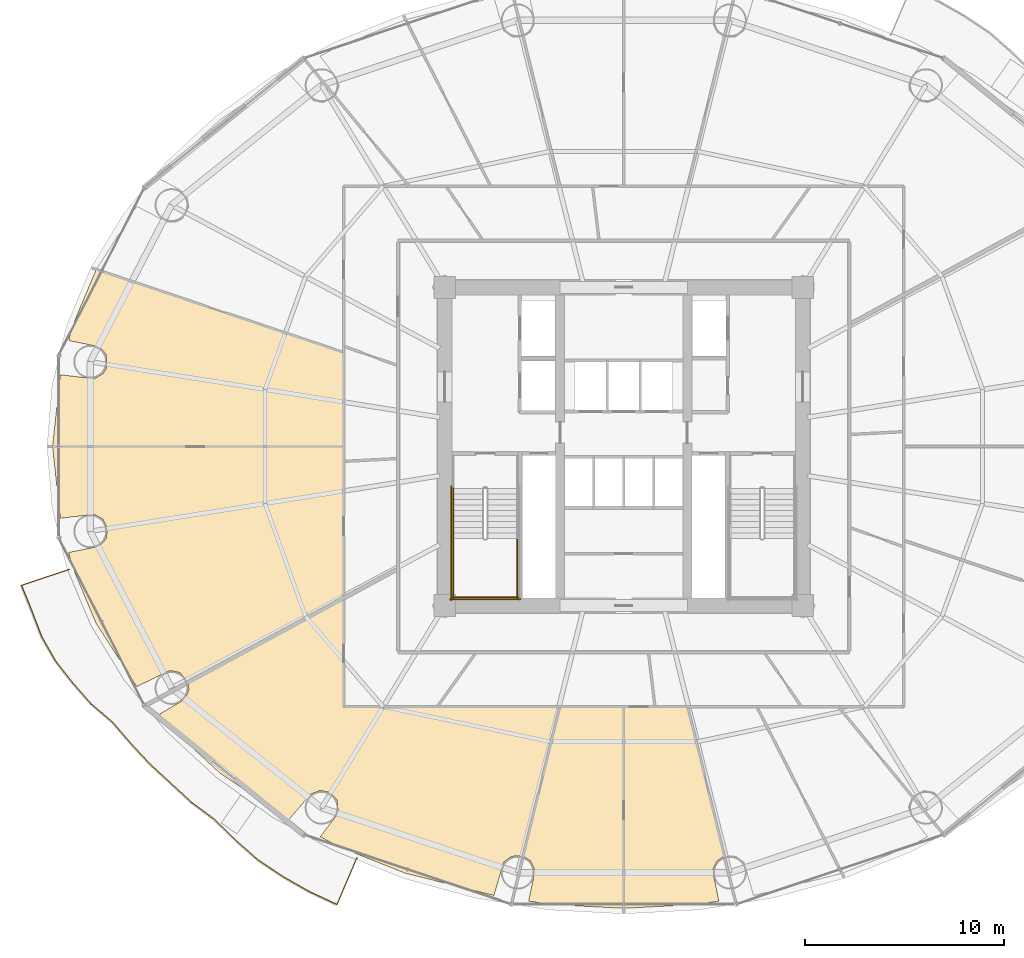
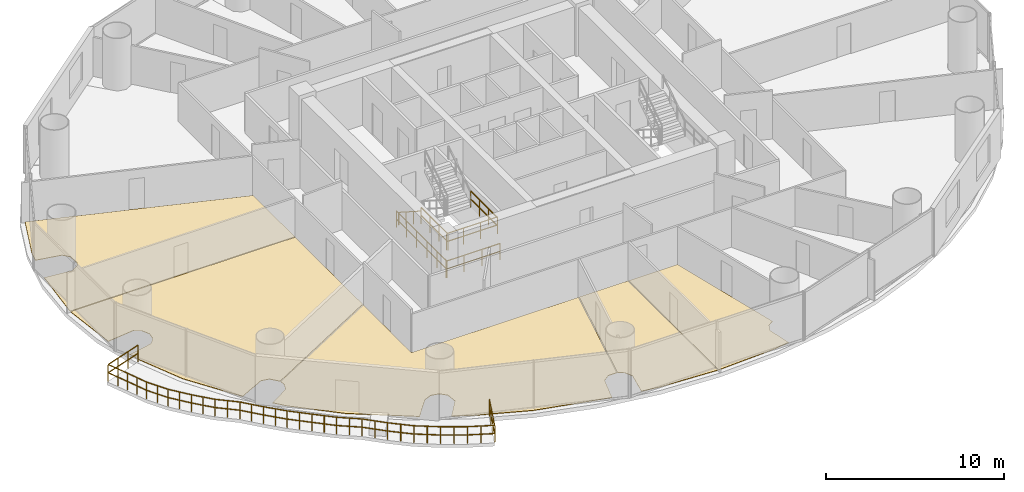
# One storey, part 27 of 30: 7 railings, 5 coverings.
"""IFC4 building model written with IfcOpenShell, lengths in metres."""

from ifc_helpers import new_model, si_unit, direction, frame, origin, origin_2d, place, context, subcontext, project, spatial, polyline, rectangle, outline, extrude, material, layer, layer_set, type_object, element, save


model = new_model("IFC4")

# Units and contexts
model_context = context("Model", 3, precision=1e-05, world=origin(), true_north=direction((-0.2419218956, 0.970295726276)))
body_context = subcontext(model_context, "Body", "Model", "MODEL_VIEW")
ifc_project = project(units=[si_unit("LENGTHUNIT", "METRE"), si_unit("AREAUNIT", "SQUARE_METRE"), si_unit("VOLUMEUNIT", "CUBIC_METRE"), si_unit("PLANEANGLEUNIT", "RADIAN"), si_unit("MASSUNIT", "GRAM", prefix="KILO")], contexts=[model_context])

# Site, building, storey
site_placement = place(None, origin())
site = spatial("IfcSite", under=ifc_project, at=site_placement, CompositionType="ELEMENT")
building_placement = place(site_placement, origin())
building = spatial("IfcBuilding", under=site, at=building_placement, Name="Cobrevalo Terracotta Tower", CompositionType="ELEMENT")
storey_placement = place(building_placement, frame((0.0, 0.0, 63.60009765625)))
storey = spatial("IfcBuildingStorey", under=building, at=storey_placement, Name="L16", CompositionType="ELEMENT", Elevation=63.60009765625)

# Railing
ifc_material_1 = material(Name="Laminated structural glass and stainless steel", Category="steel")
railing_type_1 = type_object("IfcRailingType", Name="Balcony lobe structural glass & terracotta-cap balustrade 1180 mm", PredefinedType="BALUSTRADE", material=ifc_material_1)
railing_1_placement = place(storey_placement, frame((10.121337890625, 20.629638671875, 0.0)))
element("IfcRailing", 1, at=railing_1_placement, inside=storey, type_object=railing_type_1, Name="L16 spiralling balcony lobe balustrade 2", PredefinedType="BALUSTRADE", context=body_context, shape_type="SweptSolid", body=[
    extrude(rectangle(XDim=0.048095703125, YDim=0.048095703125, at=origin_2d()), frame((0.0, 0.0, 1.15576171875), z_axis=(-0.947685623681, -0.319205198373, 0.0), x_axis=(0.319205198373, -0.947685623681, 0.0)), (0.0, 0.0, 1.0), 2.532470703125),
    extrude(rectangle(XDim=0.048095703125, YDim=0.048095703125, at=origin_2d()), frame((0.0, 0.0, 0.58984375), z_axis=(-0.947685623681, -0.319205198373, 0.0), x_axis=(0.319205198373, -0.947685623681, 0.0)), (0.0, 0.0, 1.0), 2.532470703125),
    extrude(rectangle(XDim=0.048095703125, YDim=0.048095703125, at=origin_2d()), frame((-2.39990234375, -0.808349609375, 1.15576171875), z_axis=(0.372696737313, -0.927953200327, 0.0), x_axis=(0.927953200327, 0.372696737313, 0.0)), (0.0, 0.0, 1.0), 1.385498046875),
    extrude(rectangle(XDim=0.048095703125, YDim=0.048095703125, at=origin_2d()), frame((-2.39990234375, -0.808349609375, 0.58984375), z_axis=(0.372696737313, -0.927953200327, 0.0), x_axis=(0.927953200327, 0.372696737313, 0.0)), (0.0, 0.0, 1.0), 1.385498046875),
    extrude(rectangle(XDim=0.048095703125, YDim=0.048095703125, at=origin_2d()), frame((-1.883544921875, -2.093994140625, 1.15576171875), z_axis=(0.357751801544, -0.93381671033, 0.0), x_axis=(0.93381671033, 0.357751801544, 0.0)), (0.0, 0.0, 1.0), 1.38671875),
    extrude(rectangle(XDim=0.048095703125, YDim=0.048095703125, at=origin_2d()), frame((-1.883544921875, -2.093994140625, 0.58984375), z_axis=(0.357751801544, -0.93381671033, 0.0), x_axis=(0.93381671033, 0.357751801544, 0.0)), (0.0, 0.0, 1.0), 1.38671875),
    extrude(rectangle(XDim=0.048095703125, YDim=0.048095703125, at=origin_2d()), frame((-1.387451171875, -3.388916015625, 1.15576171875), z_axis=(0.494574379134, -0.869135307938, 0.0), x_axis=(0.869135307938, 0.494574379134, 0.0)), (0.0, 0.0, 1.0), 1.3955078125),
    extrude(rectangle(XDim=0.048095703125, YDim=0.048095703125, at=origin_2d()), frame((-1.387451171875, -3.388916015625, 0.58984375), z_axis=(0.494574379134, -0.869135307938, 0.0), x_axis=(0.869135307938, 0.494574379134, 0.0)), (0.0, 0.0, 1.0), 1.3955078125),
    extrude(rectangle(XDim=0.048095703125, YDim=0.048095703125, at=origin_2d()), frame((-0.697265625, -4.601806640625, 1.15576171875), z_axis=(0.614359154703, -0.78902650718, 0.0), x_axis=(0.78902650718, 0.614359154703, 0.0)), (0.0, 0.0, 1.0), 1.4130859375),
    extrude(rectangle(XDim=0.048095703125, YDim=0.048095703125, at=origin_2d()), frame((-0.697265625, -4.601806640625, 0.58984375), z_axis=(0.614359154703, -0.78902650718, 0.0), x_axis=(0.78902650718, 0.614359154703, 0.0)), (0.0, 0.0, 1.0), 1.4130859375),
    extrude(rectangle(XDim=0.048095703125, YDim=0.048095703125, at=origin_2d()), frame((0.1708984375, -5.716796875, 1.15576171875), z_axis=(0.659505333479, -0.751699883672, 0.0), x_axis=(0.751699883672, 0.659505333479, 0.0)), (0.0, 0.0, 1.0), 1.398193359375),
    extrude(rectangle(XDim=0.048095703125, YDim=0.048095703125, at=origin_2d()), frame((0.1708984375, -5.716796875, 0.58984375), z_axis=(0.659505333479, -0.751699883672, 0.0), x_axis=(0.751699883672, 0.659505333479, 0.0)), (0.0, 0.0, 1.0), 1.398193359375),
    extrude(rectangle(XDim=0.048095703125, YDim=0.048095703125, at=origin_2d()), frame((1.093017578125, -6.767822265625, 1.15576171875), z_axis=(0.759232612194, -0.650819360945, 0.0), x_axis=(0.650819360945, 0.759232612194, 0.0)), (0.0, 0.0, 1.0), 1.436767578125),
    extrude(rectangle(XDim=0.048095703125, YDim=0.048095703125, at=origin_2d()), frame((1.093017578125, -6.767822265625, 0.58984375), z_axis=(0.759232612194, -0.650819360945, 0.0), x_axis=(0.650819360945, 0.759232612194, 0.0)), (0.0, 0.0, 1.0), 1.436767578125),
    extrude(rectangle(XDim=0.048095703125, YDim=0.048095703125, at=origin_2d()), frame((2.183837890625, -7.702880859375, 1.15576171875), z_axis=(0.651986947416, -0.758230189586, 0.0), x_axis=(0.758230189586, 0.651986947416, 0.0)), (0.0, 0.0, 1.0), 1.394775390625),
    extrude(rectangle(XDim=0.048095703125, YDim=0.048095703125, at=origin_2d()), frame((2.183837890625, -7.702880859375, 0.58984375), z_axis=(0.651986947416, -0.758230189586, 0.0), x_axis=(0.758230189586, 0.651986947416, 0.0)), (0.0, 0.0, 1.0), 1.394775390625),
    extrude(rectangle(XDim=0.048095703125, YDim=0.048095703125, at=origin_2d()), frame((3.09326171875, -8.760498046875, 1.15576171875), z_axis=(0.681816506095, -0.731523240927, 0.0), x_axis=(0.731523240927, 0.681816506095, 0.0)), (0.0, 0.0, 1.0), 1.40478515625),
    extrude(rectangle(XDim=0.048095703125, YDim=0.048095703125, at=origin_2d()), frame((3.09326171875, -8.760498046875, 0.58984375), z_axis=(0.681816506095, -0.731523240927, 0.0), x_axis=(0.731523240927, 0.681816506095, 0.0)), (0.0, 0.0, 1.0), 1.40478515625),
    extrude(rectangle(XDim=0.048095703125, YDim=0.048095703125, at=origin_2d()), frame((4.051025390625, -9.7880859375, 1.15576171875), z_axis=(0.734054626876, -0.679090424584, 0.0), x_axis=(0.679090424584, 0.734054626876, 0.0)), (0.0, 0.0, 1.0), 1.42578125),
    extrude(rectangle(XDim=0.048095703125, YDim=0.048095703125, at=origin_2d()), frame((4.051025390625, -9.7880859375, 0.58984375), z_axis=(0.734054626876, -0.679090424584, 0.0), x_axis=(0.679090424584, 0.734054626876, 0.0)), (0.0, 0.0, 1.0), 1.42578125),
    extrude(rectangle(XDim=0.048095703125, YDim=0.048095703125, at=origin_2d()), frame((5.09765625, -10.75634765625, 1.15576171875), z_axis=(0.736228238624, -0.676733315755, 0.0), x_axis=(0.676733315755, 0.736228238624, 0.0)), (0.0, 0.0, 1.0), 1.423828125),
    extrude(rectangle(XDim=0.048095703125, YDim=0.048095703125, at=origin_2d()), frame((5.09765625, -10.75634765625, 0.58984375), z_axis=(0.736228238624, -0.676733315755, 0.0), x_axis=(0.676733315755, 0.736228238624, 0.0)), (0.0, 0.0, 1.0), 1.423828125),
    extrude(rectangle(XDim=0.048095703125, YDim=0.048095703125, at=origin_2d()), frame((6.14599609375, -11.719970703125, 1.15576171875), z_axis=(0.802051671912, -0.597254648858, 0.0), x_axis=(0.597254648858, 0.802051671912, 0.0)), (0.0, 0.0, 1.0), 1.453125),
    extrude(rectangle(XDim=0.048095703125, YDim=0.048095703125, at=origin_2d()), frame((6.14599609375, -11.719970703125, 0.58984375), z_axis=(0.802051671912, -0.597254648858, 0.0), x_axis=(0.597254648858, 0.802051671912, 0.0)), (0.0, 0.0, 1.0), 1.453125),
    extrude(rectangle(XDim=0.048095703125, YDim=0.048095703125, at=origin_2d()), frame((7.3115234375, -12.587890625, 1.15576171875), z_axis=(0.711537863428, -0.702647755926, 0.0), x_axis=(0.702647755926, 0.711537863428, 0.0)), (0.0, 0.0, 1.0), 1.48291015625),
    extrude(rectangle(XDim=0.048095703125, YDim=0.048095703125, at=origin_2d()), frame((7.3115234375, -12.587890625, 0.58984375), z_axis=(0.711537863428, -0.702647755926, 0.0), x_axis=(0.702647755926, 0.711537863428, 0.0)), (0.0, 0.0, 1.0), 1.48291015625),
    extrude(rectangle(XDim=0.048095703125, YDim=0.048095703125, at=origin_2d()), frame((8.36669921875, -13.6298828125, 1.15576171875), z_axis=(0.751323984624, -0.65993353463, 0.0), x_axis=(0.65993353463, 0.751323984624, 0.0)), (0.0, 0.0, 1.0), 1.49853515625),
    extrude(rectangle(XDim=0.048095703125, YDim=0.048095703125, at=origin_2d()), frame((8.36669921875, -13.6298828125, 0.58984375), z_axis=(0.751323984624, -0.65993353463, 0.0), x_axis=(0.65993353463, 0.751323984624, 0.0)), (0.0, 0.0, 1.0), 1.49853515625),
    extrude(rectangle(XDim=0.048095703125, YDim=0.048095703125, at=origin_2d()), frame((9.49267578125, -14.618896484375, 1.15576171875), z_axis=(0.832124630172, -0.554588676284, 0.0), x_axis=(0.554588676284, 0.832124630172, 0.0)), (0.0, 0.0, 1.0), 1.515625),
    extrude(rectangle(XDim=0.048095703125, YDim=0.048095703125, at=origin_2d()), frame((9.49267578125, -14.618896484375, 0.58984375), z_axis=(0.832124630172, -0.554588676284, 0.0), x_axis=(0.554588676284, 0.832124630172, 0.0)), (0.0, 0.0, 1.0), 1.515625),
    extrude(rectangle(XDim=0.048095703125, YDim=0.048095703125, at=origin_2d()), frame((10.75390625, -15.45947265625, 1.15576171875), z_axis=(0.868956026237, -0.494889305265, 0.0), x_axis=(0.494889305265, 0.868956026237, 0.0)), (0.0, 0.0, 1.0), 1.515380859375),
    extrude(rectangle(XDim=0.048095703125, YDim=0.048095703125, at=origin_2d()), frame((10.75390625, -15.45947265625, 0.58984375), z_axis=(0.868956026237, -0.494889305265, 0.0), x_axis=(0.494889305265, 0.868956026237, 0.0)), (0.0, 0.0, 1.0), 1.515380859375),
    extrude(rectangle(XDim=0.048095703125, YDim=0.048095703125, at=origin_2d()), frame((12.07080078125, -16.20947265625, 1.15576171875), z_axis=(0.906244057486, -0.422754903308, 0.0), x_axis=(0.422754903308, 0.906244057486, 0.0)), (0.0, 0.0, 1.0), 1.53564453125),
    extrude(rectangle(XDim=0.048095703125, YDim=0.048095703125, at=origin_2d()), frame((12.07080078125, -16.20947265625, 0.58984375), z_axis=(0.906244057486, -0.422754903308, 0.0), x_axis=(0.422754903308, 0.906244057486, 0.0)), (0.0, 0.0, 1.0), 1.53564453125),
    extrude(rectangle(XDim=0.048095703125, YDim=0.048095703125, at=origin_2d()), frame((13.46240234375, -16.858642578125, 1.15576171875), z_axis=(0.392274155502, 0.919848349961, 0.0), x_axis=(-0.919848349961, 0.392274155502, 0.0)), (0.0, 0.0, 1.0), 2.544189453125),
    extrude(rectangle(XDim=0.048095703125, YDim=0.048095703125, at=origin_2d()), frame((13.46240234375, -16.858642578125, 0.58984375), z_axis=(0.392274155502, 0.919848349961, 0.0), x_axis=(-0.919848349961, 0.392274155502, 0.0)), (0.0, 0.0, 1.0), 2.544189453125),
    extrude(rectangle(XDim=0.0419921875, YDim=0.0419921875, at=origin_2d()), origin(), (0.0, 0.0, 1.0), 1.1318359375),
    extrude(rectangle(XDim=0.0419921875, YDim=0.0419921875, at=origin_2d()), frame((-0.800048828125, -0.26953125, 0.0)), (0.0, 0.0, 1.0), 1.1318359375),
    extrude(rectangle(XDim=0.0419921875, YDim=0.0419921875, at=origin_2d()), frame((-1.599853515625, -0.538818359375, 0.0)), (0.0, 0.0, 1.0), 1.1318359375),
    extrude(rectangle(XDim=0.0419921875, YDim=0.0419921875, at=origin_2d()), frame((-2.39990234375, -0.808349609375, 0.0)), (0.0, 0.0, 1.0), 1.1318359375),
    extrude(rectangle(XDim=0.0419921875, YDim=0.0419921875, at=origin_2d()), frame((-2.1416015625, -1.451171875, 0.0)), (0.0, 0.0, 1.0), 1.1318359375),
    extrude(rectangle(XDim=0.0419921875, YDim=0.0419921875, at=origin_2d()), frame((-1.883544921875, -2.093994140625, 0.0)), (0.0, 0.0, 1.0), 1.1318359375),
    extrude(rectangle(XDim=0.0419921875, YDim=0.0419921875, at=origin_2d()), frame((-1.635498046875, -2.741455078125, 0.0)), (0.0, 0.0, 1.0), 1.1318359375),
    extrude(rectangle(XDim=0.0419921875, YDim=0.0419921875, at=origin_2d()), frame((-1.387451171875, -3.388916015625, 0.0)), (0.0, 0.0, 1.0), 1.1318359375),
    extrude(rectangle(XDim=0.0419921875, YDim=0.0419921875, at=origin_2d()), frame((-1.04248046875, -3.995361328125, 0.0)), (0.0, 0.0, 1.0), 1.1318359375),
    extrude(rectangle(XDim=0.0419921875, YDim=0.0419921875, at=origin_2d()), frame((-0.697265625, -4.601806640625, 0.0)), (0.0, 0.0, 1.0), 1.1318359375),
    extrude(rectangle(XDim=0.0419921875, YDim=0.0419921875, at=origin_2d()), frame((-0.26318359375, -5.1591796875, 0.0)), (0.0, 0.0, 1.0), 1.1318359375),
    extrude(rectangle(XDim=0.0419921875, YDim=0.0419921875, at=origin_2d()), frame((0.1708984375, -5.716796875, 0.0)), (0.0, 0.0, 1.0), 1.1318359375),
    extrude(rectangle(XDim=0.0419921875, YDim=0.0419921875, at=origin_2d()), frame((0.6318359375, -6.2421875, 0.0)), (0.0, 0.0, 1.0), 1.1318359375),
    extrude(rectangle(XDim=0.0419921875, YDim=0.0419921875, at=origin_2d()), frame((1.093017578125, -6.767822265625, 0.0)), (0.0, 0.0, 1.0), 1.1318359375),
    extrude(rectangle(XDim=0.0419921875, YDim=0.0419921875, at=origin_2d()), frame((1.638427734375, -7.2353515625, 0.0)), (0.0, 0.0, 1.0), 1.1318359375),
    extrude(rectangle(XDim=0.0419921875, YDim=0.0419921875, at=origin_2d()), frame((2.183837890625, -7.702880859375, 0.0)), (0.0, 0.0, 1.0), 1.1318359375),
    extrude(rectangle(XDim=0.0419921875, YDim=0.0419921875, at=origin_2d()), frame((2.638671875, -8.231689453125, 0.0)), (0.0, 0.0, 1.0), 1.1318359375),
    extrude(rectangle(XDim=0.0419921875, YDim=0.0419921875, at=origin_2d()), frame((3.09326171875, -8.760498046875, 0.0)), (0.0, 0.0, 1.0), 1.1318359375),
    extrude(rectangle(XDim=0.0419921875, YDim=0.0419921875, at=origin_2d()), frame((3.572265625, -9.2744140625, 0.0)), (0.0, 0.0, 1.0), 1.1318359375),
    extrude(rectangle(XDim=0.0419921875, YDim=0.0419921875, at=origin_2d()), frame((4.051025390625, -9.7880859375, 0.0)), (0.0, 0.0, 1.0), 1.1318359375),
    extrude(rectangle(XDim=0.0419921875, YDim=0.0419921875, at=origin_2d()), frame((4.57421875, -10.272216796875, 0.0)), (0.0, 0.0, 1.0), 1.1318359375),
    extrude(rectangle(XDim=0.0419921875, YDim=0.0419921875, at=origin_2d()), frame((5.09765625, -10.75634765625, 0.0)), (0.0, 0.0, 1.0), 1.1318359375),
    extrude(rectangle(XDim=0.0419921875, YDim=0.0419921875, at=origin_2d()), frame((5.621826171875, -11.23828125, 0.0)), (0.0, 0.0, 1.0), 1.1318359375),
    extrude(rectangle(XDim=0.0419921875, YDim=0.0419921875, at=origin_2d()), frame((6.14599609375, -11.719970703125, 0.0)), (0.0, 0.0, 1.0), 1.1318359375),
    extrude(rectangle(XDim=0.0419921875, YDim=0.0419921875, at=origin_2d()), frame((6.728759765625, -12.15380859375, 0.0)), (0.0, 0.0, 1.0), 1.1318359375),
    extrude(rectangle(XDim=0.0419921875, YDim=0.0419921875, at=origin_2d()), frame((7.3115234375, -12.587890625, 0.0)), (0.0, 0.0, 1.0), 1.1318359375),
    extrude(rectangle(XDim=0.0419921875, YDim=0.0419921875, at=origin_2d()), frame((7.839111328125, -13.10888671875, 0.0)), (0.0, 0.0, 1.0), 1.1318359375),
    extrude(rectangle(XDim=0.0419921875, YDim=0.0419921875, at=origin_2d()), frame((8.36669921875, -13.6298828125, 0.0)), (0.0, 0.0, 1.0), 1.1318359375),
    extrude(rectangle(XDim=0.0419921875, YDim=0.0419921875, at=origin_2d()), frame((8.9296875, -14.12451171875, 0.0)), (0.0, 0.0, 1.0), 1.1318359375),
    extrude(rectangle(XDim=0.0419921875, YDim=0.0419921875, at=origin_2d()), frame((9.49267578125, -14.618896484375, 0.0)), (0.0, 0.0, 1.0), 1.1318359375),
    extrude(rectangle(XDim=0.0419921875, YDim=0.0419921875, at=origin_2d()), frame((10.123291015625, -15.0390625, 0.0)), (0.0, 0.0, 1.0), 1.1318359375),
    extrude(rectangle(XDim=0.0419921875, YDim=0.0419921875, at=origin_2d()), frame((10.75390625, -15.45947265625, 0.0)), (0.0, 0.0, 1.0), 1.1318359375),
    extrude(rectangle(XDim=0.0419921875, YDim=0.0419921875, at=origin_2d()), frame((11.412353515625, -15.83447265625, 0.0)), (0.0, 0.0, 1.0), 1.1318359375),
    extrude(rectangle(XDim=0.0419921875, YDim=0.0419921875, at=origin_2d()), frame((12.07080078125, -16.20947265625, 0.0)), (0.0, 0.0, 1.0), 1.1318359375),
    extrude(rectangle(XDim=0.0419921875, YDim=0.0419921875, at=origin_2d()), frame((12.7666015625, -16.5341796875, 0.0)), (0.0, 0.0, 1.0), 1.1318359375),
    extrude(rectangle(XDim=0.0419921875, YDim=0.0419921875, at=origin_2d()), frame((13.46240234375, -16.858642578125, 0.0)), (0.0, 0.0, 1.0), 1.1318359375),
    extrude(rectangle(XDim=0.0419921875, YDim=0.0419921875, at=origin_2d()), frame((13.795166015625, -16.07861328125, 0.0)), (0.0, 0.0, 1.0), 1.1318359375),
    extrude(rectangle(XDim=0.0419921875, YDim=0.0419921875, at=origin_2d()), frame((14.127685546875, -15.29833984375, 0.0)), (0.0, 0.0, 1.0), 1.1318359375),
    extrude(rectangle(XDim=0.0419921875, YDim=0.0419921875, at=origin_2d()), frame((14.46044921875, -14.518310546875, 0.0)), (0.0, 0.0, 1.0), 1.1318359375),
])

# Coverings
ifc_material_2 = material(Name="Engineered Brazilian hardwood flooring", Category="wood")
ifc_layer = layer(ifc_material_2, 0.028076171875)
ifc_layer_set = layer_set([ifc_layer], Name="Engineered Brazilian hardwood flooring")
covering_type = type_object("IfcCoveringType", Name="Engineered Hardwood Suite Flooring 28", PredefinedType="FLOORING", material=ifc_layer_set)
covering_1_placement = place(storey_placement, origin())
element("IfcCovering", 2, at=covering_1_placement, inside=storey, type_object=covering_type, Name="Flat L16A Penthouse Family Lounge floor finish", PredefinedType="FLOORING", context=body_context, shape_type="SweptSolid", body=[
    extrude(outline(polyline([(9.668701171875, 30.4111328125), (11.380615234375, 30.206787109375), (11.821533203125, 30.465087890625), (12.0009765625, 30.757568359375), (11.974853515625, 31.4306640625), (11.6357421875, 31.81298828125), (10.090576171875, 32.126220703125), (10.25830078125, 32.80859375), (11.468505859375, 35.684326171875), (23.89501953125, 31.513427734375), (23.89501953125, 26.820068359375), (9.28173828125, 26.820068359375), (9.668701171875, 30.4111328125)])), origin(), (0.0, 0.0, 1.0), 0.02978515625),
])
covering_2_placement = place(storey_placement, origin())
element("IfcCovering", 3, at=covering_2_placement, inside=storey, type_object=covering_type, Name="Flat L16A Private Cinema Room floor finish", PredefinedType="FLOORING", context=body_context, shape_type="SweptSolid", body=[
    extrude(outline(polyline([(10.090576171875, 21.473876953125), (11.6357421875, 21.787109375), (11.974853515625, 22.169189453125), (12.044677734375, 22.67529296875), (11.821533203125, 23.135009765625), (11.380615234375, 23.39306640625), (9.668701171875, 23.18896484375), (9.28173828125, 26.780029296875), (23.89501953125, 26.780029296875), (23.89501953125, 19.185546875), (16.084716796875, 14.95654296875), (15.674560546875, 15.436767578125), (15.173583984375, 15.53662109375), (13.511962890625, 14.7255859375), (11.465576171875, 17.91552734375), (10.25830078125, 20.791259765625), (10.090576171875, 21.473876953125)])), origin(), (0.0, 0.0, 1.0), 0.02978515625),
])
covering_3_placement = place(storey_placement, origin())
element("IfcCovering", 4, at=covering_3_placement, inside=storey, type_object=covering_type, Name="Flat L16B Penthouse Living and Dining Room floor finish", PredefinedType="FLOORING", context=body_context, shape_type="SweptSolid", body=[
    extrude(outline(polyline([(27.008056640625, 5.34814453125), (23.638427734375, 6.691650390625), (22.73681640625, 7.178955078125), (23.64501953125, 8.369140625), (23.585205078125, 9.0400390625), (23.227294921875, 9.40478515625), (22.72705078125, 9.509033203125), (22.253173828125, 9.31787109375), (21.156494140625, 8.03271484375), (17.6904296875, 10.38232421875), (15.213623046875, 12.666259765625), (14.65576171875, 13.341064453125), (15.939208984375, 14.10205078125), (16.135009765625, 14.573974609375), (16.09765625, 14.91796875), (23.89501953125, 19.14013671875), (23.89501953125, 13.695068359375), (34.762451171875, 13.695068359375), (32.924560546875, 6.20703125), (32.36669921875, 6.197998046875), (31.95654296875, 5.89306640625), (31.472412109375, 4.2255859375), (27.008056640625, 5.34814453125)])), origin(), (0.0, 0.0, 1.0), 0.02978515625),
])
covering_4_placement = place(storey_placement, origin())
element("IfcCovering", 5, at=covering_4_placement, inside=storey, type_object=covering_type, Name="Flat L16B Master Bedroom floor finish", PredefinedType="FLOORING", context=body_context, shape_type="SweptSolid", body=[
    extrude(outline(polyline([(33.21630859375, 3.945068359375), (33.53466796875, 5.500244140625), (33.3154296875, 5.9619140625), (32.96240234375, 6.193359375), (34.8037109375, 13.695068359375), (37.97998046875, 13.695068359375), (37.97998046875, 3.5810546875), (34.250732421875, 3.77880859375), (33.21630859375, 3.945068359375)])), origin(), (0.0, 0.0, 1.0), 0.02978515625),
])
covering_5_placement = place(storey_placement, origin())
element("IfcCovering", 6, at=covering_5_placement, inside=storey, type_object=covering_type, Name="Flat L16B Principal Guest Bedroom floor finish", PredefinedType="FLOORING", context=body_context, shape_type="SweptSolid", body=[
    extrude(outline(polyline([(38.02001953125, 3.5810546875), (38.02001953125, 13.695068359375), (41.1962890625, 13.695068359375), (43.03759765625, 6.193359375), (42.6845703125, 5.9619140625), (42.46533203125, 5.500244140625), (42.78369140625, 3.945068359375), (41.749267578125, 3.77880859375), (38.02001953125, 3.5810546875)])), origin(), (0.0, 0.0, 1.0), 0.02978515625),
])

# Railings
ifc_material_3 = material(Name="Brushed stainless steel", Category="steel")
railing_type_2 = type_object("IfcRailingType", Name="Stainless Steel Stair Handrail 900", PredefinedType="HANDRAIL", material=ifc_material_3)
railing_2_placement = place(storey_placement, frame((29.425048828125, 24.699951171875, 0.179931640625)))
element("IfcRailing", 7, at=railing_2_placement, inside=storey, type_object=railing_type_2, Name="L16 ST-1 stair handrail 1", PredefinedType="HANDRAIL", context=body_context, shape_type="SweptSolid", body=[
    extrude(rectangle(XDim=0.048095703125, YDim=0.048095703125, at=origin_2d()), frame((0.0, 0.0, 0.8759765625), z_axis=(0.0, -0.841199657755, 0.540724639528), x_axis=(1.0, 0.0, 0.0)), (0.0, 0.0, 1.0), 2.995849609375),
    extrude(rectangle(XDim=0.0419921875, YDim=0.0419921875, at=origin_2d()), origin(), (0.0, 0.0, 1.0), 0.851806640625),
    extrude(rectangle(XDim=0.0419921875, YDim=0.0419921875, at=origin_2d()), frame((0.0, -0.840087890625, 0.5400390625)), (0.0, 0.0, 1.0), 0.851806640625),
    extrude(rectangle(XDim=0.0419921875, YDim=0.0419921875, at=origin_2d()), frame((0.0, -1.679931640625, 1.079833984375)), (0.0, 0.0, 1.0), 0.851806640625),
    extrude(rectangle(XDim=0.0419921875, YDim=0.0419921875, at=origin_2d()), frame((0.0, -2.52001953125, 1.619873046875)), (0.0, 0.0, 1.0), 0.851806640625),
])
ifc_material_4 = material(Name="Painted galvanized steel", Category="steel")
railing_type_3 = type_object("IfcRailingType", Name="Stair Well Guard Balustrade 1150", PredefinedType="GUARDRAIL", material=ifc_material_4)
for number, where, name in (
    (8, (29.425048828125, 22.179931640625, 1.7998046875), "L16 ST-1 stair guard 3"),
    (9, (32.64501953125, 22.179931640625, 1.7998046875), "L16 ST-1 stair guard 4"),
):
    element("IfcRailing", number, at=place(storey_placement, frame(where)), inside=storey, type_object=railing_type_3, Name=name, PredefinedType="GUARDRAIL", context=body_context, shape_type="SweptSolid", body=[
        extrude(rectangle(XDim=0.048095703125, YDim=0.048095703125, at=origin_2d()), frame((0.0, 0.0, 1.1259765625), z_axis=(0.0, -1.0, 0.0), x_axis=(1.0, 0.0, 0.0)), (0.0, 0.0, 1.0), 3.0048828125),
        extrude(rectangle(XDim=0.048095703125, YDim=0.048095703125, at=origin_2d()), frame((0.0, 0.0, 0.574951171875), z_axis=(0.0, -1.0, 0.0), x_axis=(1.0, 0.0, 0.0)), (0.0, 0.0, 1.0), 3.0048828125),
        extrude(rectangle(XDim=0.0419921875, YDim=0.0419921875, at=origin_2d()), origin(), (0.0, 0.0, 1.0), 1.101806640625),
        extrude(rectangle(XDim=0.0419921875, YDim=0.0419921875, at=origin_2d()), frame((0.0, -1.001708984375, 0.0)), (0.0, 0.0, 1.0), 1.101806640625),
        extrude(rectangle(XDim=0.0419921875, YDim=0.0419921875, at=origin_2d()), frame((0.0, -2.003173828125, 0.0)), (0.0, 0.0, 1.0), 1.101806640625),
        extrude(rectangle(XDim=0.0419921875, YDim=0.0419921875, at=origin_2d()), frame((0.0, -3.0048828125, 0.0)), (0.0, 0.0, 1.0), 1.101806640625),
    ])
railing_3_placement = place(storey_placement, frame((29.375, 19.22509765625, 1.7998046875)))
element("IfcRailing", 10, at=railing_3_placement, inside=storey, type_object=railing_type_3, Name="L16 ST-1 stair guard 5", PredefinedType="GUARDRAIL", context=body_context, shape_type="SweptSolid", body=[
    extrude(rectangle(XDim=0.048095703125, YDim=0.048095703125, at=origin_2d()), frame((0.0, 0.0, 1.1259765625), z_axis=(1.0, 0.0, 0.0), x_axis=(0.0, 1.0, 0.0)), (0.0, 0.0, 1.0), 3.320068359375),
    extrude(rectangle(XDim=0.048095703125, YDim=0.048095703125, at=origin_2d()), frame((0.0, 0.0, 0.574951171875), z_axis=(1.0, 0.0, 0.0), x_axis=(0.0, 1.0, 0.0)), (0.0, 0.0, 1.0), 3.320068359375),
    extrude(rectangle(XDim=0.0419921875, YDim=0.0419921875, at=origin_2d()), origin(), (0.0, 0.0, 1.0), 1.101806640625),
    extrude(rectangle(XDim=0.0419921875, YDim=0.0419921875, at=origin_2d()), frame((1.106689453125, 0.0, 0.0)), (0.0, 0.0, 1.0), 1.101806640625),
    extrude(rectangle(XDim=0.0419921875, YDim=0.0419921875, at=origin_2d()), frame((2.21337890625, 0.0, 0.0)), (0.0, 0.0, 1.0), 1.101806640625),
    extrude(rectangle(XDim=0.0419921875, YDim=0.0419921875, at=origin_2d()), frame((3.320068359375, 0.0, 0.0)), (0.0, 0.0, 1.0), 1.101806640625),
])
railing_4_placement = place(storey_placement, frame((29.324951171875, 24.800048828125, 0.0)))
element("IfcRailing", 11, at=railing_4_placement, inside=storey, type_object=railing_type_3, Name="L16 ST-1 stair guard 10", PredefinedType="GUARDRAIL", context=body_context, shape_type="SweptSolid", body=[
    extrude(rectangle(XDim=0.048095703125, YDim=0.048095703125, at=origin_2d()), frame((0.0, 0.0, 1.1259765625), z_axis=(0.0, -1.0, 0.0), x_axis=(1.0, 0.0, 0.0)), (0.0, 0.0, 1.0), 5.72509765625),
    extrude(rectangle(XDim=0.048095703125, YDim=0.048095703125, at=origin_2d()), frame((0.0, 0.0, 0.574951171875), z_axis=(0.0, -1.0, 0.0), x_axis=(1.0, 0.0, 0.0)), (0.0, 0.0, 1.0), 5.72509765625),
    extrude(rectangle(XDim=0.0419921875, YDim=0.0419921875, at=origin_2d()), origin(), (0.0, 0.0, 1.0), 1.101806640625),
    extrude(rectangle(XDim=0.0419921875, YDim=0.0419921875, at=origin_2d()), frame((0.0, -1.14501953125, 0.0)), (0.0, 0.0, 1.0), 1.101806640625),
    extrude(rectangle(XDim=0.0419921875, YDim=0.0419921875, at=origin_2d()), frame((0.0, -2.2900390625, 0.0)), (0.0, 0.0, 1.0), 1.101806640625),
    extrude(rectangle(XDim=0.0419921875, YDim=0.0419921875, at=origin_2d()), frame((0.0, -3.43505859375, 0.0)), (0.0, 0.0, 1.0), 1.101806640625),
    extrude(rectangle(XDim=0.0419921875, YDim=0.0419921875, at=origin_2d()), frame((0.0, -4.580078125, 0.0)), (0.0, 0.0, 1.0), 1.101806640625),
    extrude(rectangle(XDim=0.0419921875, YDim=0.0419921875, at=origin_2d()), frame((0.0, -5.72509765625, 0.0)), (0.0, 0.0, 1.0), 1.101806640625),
])
railing_5_placement = place(storey_placement, frame((29.27490234375, 19.125, 0.0)))
element("IfcRailing", 12, at=railing_5_placement, inside=storey, type_object=railing_type_3, Name="L16 ST-1 stair guard 12", PredefinedType="GUARDRAIL", context=body_context, shape_type="SweptSolid", body=[
    extrude(rectangle(XDim=0.048095703125, YDim=0.048095703125, at=origin_2d()), frame((0.0, 0.0, 1.1259765625), z_axis=(1.0, 0.0, 0.0), x_axis=(0.0, 1.0, 0.0)), (0.0, 0.0, 1.0), 3.52001953125),
    extrude(rectangle(XDim=0.048095703125, YDim=0.048095703125, at=origin_2d()), frame((0.0, 0.0, 0.574951171875), z_axis=(1.0, 0.0, 0.0), x_axis=(0.0, 1.0, 0.0)), (0.0, 0.0, 1.0), 3.52001953125),
    extrude(rectangle(XDim=0.0419921875, YDim=0.0419921875, at=origin_2d()), origin(), (0.0, 0.0, 1.0), 1.101806640625),
    extrude(rectangle(XDim=0.0419921875, YDim=0.0419921875, at=origin_2d()), frame((1.17333984375, 0.0, 0.0)), (0.0, 0.0, 1.0), 1.101806640625),
    extrude(rectangle(XDim=0.0419921875, YDim=0.0419921875, at=origin_2d()), frame((2.3466796875, 0.0, 0.0)), (0.0, 0.0, 1.0), 1.101806640625),
    extrude(rectangle(XDim=0.0419921875, YDim=0.0419921875, at=origin_2d()), frame((3.52001953125, 0.0, 0.0)), (0.0, 0.0, 1.0), 1.101806640625),
])

save(model, "model.ifc")
